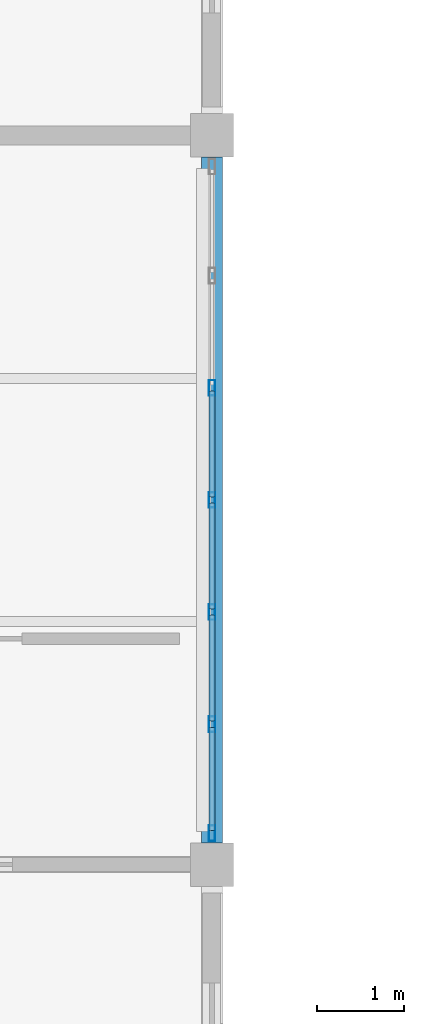
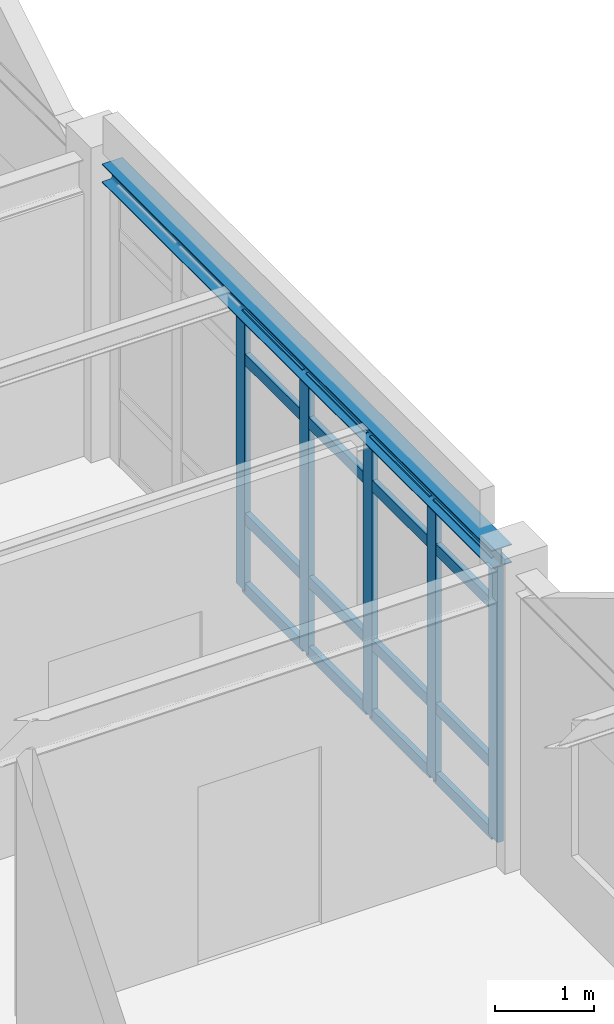
# One storey, part 6 of 45: 21 members, 1 beam, 1 element without a shape of its own.
"""IFC4 building model written with IfcOpenShell, lengths in metres."""

from ifc_helpers import new_model, si_unit, direction, frame, origin, origin_2d, place, context, subcontext, project, spatial, hollow_rectangle, i_section, extrude, material, layer, layer_set, material_profile, profile_set, type_object, element, aggregate, save


model = new_model("IFC4")

# Units and contexts
model_context = context("Model", 3, precision=1e-05, world=origin(), true_north=direction((0.0, 1.0)))
body_context = subcontext(model_context, "Body", "Model", "MODEL_VIEW")
ifc_project = project(units=[si_unit("LENGTHUNIT", "METRE"), si_unit("AREAUNIT", "SQUARE_METRE"), si_unit("VOLUMEUNIT", "CUBIC_METRE"), si_unit("PLANEANGLEUNIT", "RADIAN"), si_unit("MASSUNIT", "GRAM", prefix="KILO")], contexts=[model_context])

# Site, building, storey
site_placement = place(None, origin())
site = spatial("IfcSite", under=ifc_project, at=site_placement, CompositionType="ELEMENT")
building_placement = place(site_placement, origin())
building = spatial("IfcBuilding", under=site, at=building_placement, Name="Bramfleet General Hospital", CompositionType="ELEMENT")
storey_placement = place(building_placement, frame((0.0, 0.0, 30.300048828125)))
storey = spatial("IfcBuildingStorey", under=building, at=storey_placement, Name="L07", CompositionType="ELEMENT", Elevation=30.300048828125)

# Beam
ifc_material_1 = material(Name="Steel S355", Category="steel")
ifc_material_profile_1 = material_profile(ifc_material_1, i_section(OverallWidth=0.239990234375, OverallDepth=0.22998046875, WebThickness=0.007568359375, FlangeThickness=0.011962890625, FilletRadius=0.02099609375, at=origin_2d()), Name="HEA 240")
ifc_profile_set_1 = profile_set([ifc_material_profile_1], Name="Steel S355")
beam_type = type_object("IfcBeamType", Name="BM-HEA240", PredefinedType="SPANDREL", material=ifc_profile_set_1)
beam_placement = place(storey_placement, frame((117.60009765625, 42.25, 3.544921875), z_axis=(0.0, 1.0, 0.0), x_axis=(-1.0, 0.0, 0.0)))
element("IfcBeam", 1, at=beam_placement, inside=storey, type_object=beam_type, Name="L07 Grid Beam Y 14-05", PredefinedType="SPANDREL", context=body_context, shape_type="SweptSolid", body=[
    extrude(i_section(OverallWidth=0.239990234375, OverallDepth=0.22998046875, WebThickness=0.007568359375, FlangeThickness=0.011962890625, FilletRadius=0.02099609375, at=origin_2d()), origin(), (0.0, 0.0, 1.0), 7.89990234375),
])

# Curtain wall, members
ifc_material_2 = material(Name="Anodised aluminium and low-E triple glazing", Category="aluminium")
ifc_layer = layer(ifc_material_2, 0.179931640625, Name="CWT-CW-15")
ifc_layer_set = layer_set([ifc_layer], Name="Anodised aluminium and low-E triple glazing")
curtain_wall_type = type_object("IfcCurtainWallType", Name="CWT-CW-15", PredefinedType="USERDEFINED", material=ifc_layer_set)
curtain_wall_placement = place(storey_placement, origin())
curtain_wall = element("IfcCurtainWall", 2, at=curtain_wall_placement, inside=storey, type_object=curtain_wall_type, Name="L07 Curtain Wall 231", ObjectType="Stick curtain wall", PredefinedType="USERDEFINED")
ifc_material_3 = material(Name="Anodised aluminium EN AW-6060", Category="aluminium")
ifc_material_profile_2 = material_profile(ifc_material_3, hollow_rectangle(XDim=0.070068359375, YDim=0.179931640625, WallThickness=0.00390625, at=origin_2d()), Name="ALU 180x70x4.0")
ifc_profile_set_2 = profile_set([ifc_material_profile_2], Name="Anodised aluminium EN AW-6060")
member_type_1 = type_object("IfcMemberType", Name="CWM-ALU180", PredefinedType="MULLION", material=ifc_profile_set_2)
member_1_placement = place(storey_placement, frame((117.60009765625, 47.49169921875, 0.0), z_axis=(0.0, 0.0, 1.0), x_axis=(1.0, 0.0, 0.0)))
member_1 = element("IfcMember", 3, at=member_1_placement, type_object=member_type_1, Name="CW-15 mullion 3", PredefinedType="MULLION", context=body_context, shape_type="SweptSolid", body=[
    extrude(hollow_rectangle(XDim=0.070068359375, YDim=0.179931640625, WallThickness=0.00390625, at=origin_2d()), origin(), (0.0, 0.0, 1.0), 3.419921875),
])
member_2_placement = place(storey_placement, frame((117.60009765625, 46.199951171875, 0.0), z_axis=(0.0, 0.0, 1.0), x_axis=(1.0, 0.0, 0.0)))
member_2 = element("IfcMember", 4, at=member_2_placement, type_object=member_type_1, Name="CW-15 mullion 4", PredefinedType="MULLION", context=body_context, shape_type="SweptSolid", body=[
    extrude(hollow_rectangle(XDim=0.070068359375, YDim=0.179931640625, WallThickness=0.00390625, at=origin_2d()), origin(), (0.0, 0.0, 1.0), 3.419921875),
])
member_3_placement = place(storey_placement, frame((117.60009765625, 44.908447265625, 0.0), z_axis=(0.0, 0.0, 1.0), x_axis=(1.0, 0.0, 0.0)))
member_3 = element("IfcMember", 5, at=member_3_placement, type_object=member_type_1, Name="CW-15 mullion 5", PredefinedType="MULLION", context=body_context, shape_type="SweptSolid", body=[
    extrude(hollow_rectangle(XDim=0.070068359375, YDim=0.179931640625, WallThickness=0.00390625, at=origin_2d()), origin(), (0.0, 0.0, 1.0), 3.419921875),
])
member_4_placement = place(storey_placement, frame((117.60009765625, 43.61669921875, 0.0), z_axis=(0.0, 0.0, 1.0), x_axis=(1.0, 0.0, 0.0)))
member_4 = element("IfcMember", 6, at=member_4_placement, type_object=member_type_1, Name="CW-15 mullion 6", PredefinedType="MULLION", context=body_context, shape_type="SweptSolid", body=[
    extrude(hollow_rectangle(XDim=0.070068359375, YDim=0.179931640625, WallThickness=0.00390625, at=origin_2d()), origin(), (0.0, 0.0, 1.0), 3.419921875),
])
member_5_placement = place(storey_placement, frame((117.60009765625, 42.360107421875, 0.0), z_axis=(0.0, 0.0, 1.0), x_axis=(1.0, 0.0, 0.0)))
member_5 = element("IfcMember", 7, at=member_5_placement, type_object=member_type_1, Name="CW-15 mullion 7", PredefinedType="MULLION", context=body_context, shape_type="SweptSolid", body=[
    extrude(hollow_rectangle(XDim=0.070068359375, YDim=0.179931640625, WallThickness=0.00390625, at=origin_2d()), origin(), (0.0, 0.0, 1.0), 3.419921875),
])
ifc_material_profile_3 = material_profile(ifc_material_3, hollow_rectangle(XDim=0.06494140625, YDim=0.139892578125, WallThickness=0.00390625, at=origin_2d()), Name="ALU 140x65x4.0")
ifc_profile_set_3 = profile_set([ifc_material_profile_3], Name="Anodised aluminium EN AW-6060")
member_type_2 = type_object("IfcMemberType", Name="CWT-ALU140", PredefinedType="USERDEFINED", material=ifc_profile_set_3)
member_6_placement = place(storey_placement, frame((117.60009765625, 47.456787109375, 0.032470703125), z_axis=(0.0, -1.0, 0.0), x_axis=(1.0, 0.0, 0.0)))
member_6 = element("IfcMember", 8, at=member_6_placement, type_object=member_type_2, Name="CW-15 transom 3.1", ObjectType="TRANSOM", PredefinedType="USERDEFINED", context=body_context, shape_type="SweptSolid", body=[
    extrude(hollow_rectangle(XDim=0.06494140625, YDim=0.139892578125, WallThickness=0.00390625, at=origin_2d()), origin(), (0.0, 0.0, 1.0), 1.2216796875),
])
member_7_placement = place(storey_placement, frame((117.60009765625, 47.456787109375, 0.89990234375), z_axis=(0.0, -1.0, 0.0), x_axis=(1.0, 0.0, 0.0)))
member_7 = element("IfcMember", 9, at=member_7_placement, type_object=member_type_2, Name="CW-15 transom 3.2", ObjectType="TRANSOM", PredefinedType="USERDEFINED", context=body_context, shape_type="SweptSolid", body=[
    extrude(hollow_rectangle(XDim=0.06494140625, YDim=0.139892578125, WallThickness=0.00390625, at=origin_2d()), origin(), (0.0, 0.0, 1.0), 1.2216796875),
])
member_8_placement = place(storey_placement, frame((117.60009765625, 47.456787109375, 2.869873046875), z_axis=(0.0, -1.0, 0.0), x_axis=(1.0, 0.0, 0.0)))
member_8 = element("IfcMember", 10, at=member_8_placement, type_object=member_type_2, Name="CW-15 transom 3.3", ObjectType="TRANSOM", PredefinedType="USERDEFINED", context=body_context, shape_type="SweptSolid", body=[
    extrude(hollow_rectangle(XDim=0.06494140625, YDim=0.139892578125, WallThickness=0.00390625, at=origin_2d()), origin(), (0.0, 0.0, 1.0), 1.2216796875),
])
member_9_placement = place(storey_placement, frame((117.60009765625, 47.456787109375, 3.387451171875), z_axis=(0.0, -1.0, 0.0), x_axis=(1.0, 0.0, 0.0)))
member_9 = element("IfcMember", 11, at=member_9_placement, type_object=member_type_2, Name="CW-15 transom 3.4", ObjectType="TRANSOM", PredefinedType="USERDEFINED", context=body_context, shape_type="SweptSolid", body=[
    extrude(hollow_rectangle(XDim=0.06494140625, YDim=0.139892578125, WallThickness=0.00390625, at=origin_2d()), origin(), (0.0, 0.0, 1.0), 1.2216796875),
])
member_10_placement = place(storey_placement, frame((117.60009765625, 46.1650390625, 0.032470703125), z_axis=(0.0, -1.0, 0.0), x_axis=(1.0, 0.0, 0.0)))
member_10 = element("IfcMember", 12, at=member_10_placement, type_object=member_type_2, Name="CW-15 transom 4.1", ObjectType="TRANSOM", PredefinedType="USERDEFINED", context=body_context, shape_type="SweptSolid", body=[
    extrude(hollow_rectangle(XDim=0.06494140625, YDim=0.139892578125, WallThickness=0.00390625, at=origin_2d()), origin(), (0.0, 0.0, 1.0), 1.2216796875),
])
member_11_placement = place(storey_placement, frame((117.60009765625, 46.1650390625, 0.89990234375), z_axis=(0.0, -1.0, 0.0), x_axis=(1.0, 0.0, 0.0)))
member_11 = element("IfcMember", 13, at=member_11_placement, type_object=member_type_2, Name="CW-15 transom 4.2", ObjectType="TRANSOM", PredefinedType="USERDEFINED", context=body_context, shape_type="SweptSolid", body=[
    extrude(hollow_rectangle(XDim=0.06494140625, YDim=0.139892578125, WallThickness=0.00390625, at=origin_2d()), origin(), (0.0, 0.0, 1.0), 1.2216796875),
])
member_12_placement = place(storey_placement, frame((117.60009765625, 46.1650390625, 2.869873046875), z_axis=(0.0, -1.0, 0.0), x_axis=(1.0, 0.0, 0.0)))
member_12 = element("IfcMember", 14, at=member_12_placement, type_object=member_type_2, Name="CW-15 transom 4.3", ObjectType="TRANSOM", PredefinedType="USERDEFINED", context=body_context, shape_type="SweptSolid", body=[
    extrude(hollow_rectangle(XDim=0.06494140625, YDim=0.139892578125, WallThickness=0.00390625, at=origin_2d()), origin(), (0.0, 0.0, 1.0), 1.2216796875),
])
member_13_placement = place(storey_placement, frame((117.60009765625, 46.1650390625, 3.387451171875), z_axis=(0.0, -1.0, 0.0), x_axis=(1.0, 0.0, 0.0)))
member_13 = element("IfcMember", 15, at=member_13_placement, type_object=member_type_2, Name="CW-15 transom 4.4", ObjectType="TRANSOM", PredefinedType="USERDEFINED", context=body_context, shape_type="SweptSolid", body=[
    extrude(hollow_rectangle(XDim=0.06494140625, YDim=0.139892578125, WallThickness=0.00390625, at=origin_2d()), origin(), (0.0, 0.0, 1.0), 1.2216796875),
])
member_14_placement = place(storey_placement, frame((117.60009765625, 44.873291015625, 0.032470703125), z_axis=(0.0, -1.0, 0.0), x_axis=(1.0, 0.0, 0.0)))
member_14 = element("IfcMember", 16, at=member_14_placement, type_object=member_type_2, Name="CW-15 transom 5.1", ObjectType="TRANSOM", PredefinedType="USERDEFINED", context=body_context, shape_type="SweptSolid", body=[
    extrude(hollow_rectangle(XDim=0.06494140625, YDim=0.139892578125, WallThickness=0.00390625, at=origin_2d()), origin(), (0.0, 0.0, 1.0), 1.2216796875),
])
member_15_placement = place(storey_placement, frame((117.60009765625, 44.873291015625, 0.89990234375), z_axis=(0.0, -1.0, 0.0), x_axis=(1.0, 0.0, 0.0)))
member_15 = element("IfcMember", 17, at=member_15_placement, type_object=member_type_2, Name="CW-15 transom 5.2", ObjectType="TRANSOM", PredefinedType="USERDEFINED", context=body_context, shape_type="SweptSolid", body=[
    extrude(hollow_rectangle(XDim=0.06494140625, YDim=0.139892578125, WallThickness=0.00390625, at=origin_2d()), origin(), (0.0, 0.0, 1.0), 1.2216796875),
])
member_16_placement = place(storey_placement, frame((117.60009765625, 44.873291015625, 2.869873046875), z_axis=(0.0, -1.0, 0.0), x_axis=(1.0, 0.0, 0.0)))
member_16 = element("IfcMember", 18, at=member_16_placement, type_object=member_type_2, Name="CW-15 transom 5.3", ObjectType="TRANSOM", PredefinedType="USERDEFINED", context=body_context, shape_type="SweptSolid", body=[
    extrude(hollow_rectangle(XDim=0.06494140625, YDim=0.139892578125, WallThickness=0.00390625, at=origin_2d()), origin(), (0.0, 0.0, 1.0), 1.2216796875),
])
member_17_placement = place(storey_placement, frame((117.60009765625, 44.873291015625, 3.387451171875), z_axis=(0.0, -1.0, 0.0), x_axis=(1.0, 0.0, 0.0)))
member_17 = element("IfcMember", 19, at=member_17_placement, type_object=member_type_2, Name="CW-15 transom 5.4", ObjectType="TRANSOM", PredefinedType="USERDEFINED", context=body_context, shape_type="SweptSolid", body=[
    extrude(hollow_rectangle(XDim=0.06494140625, YDim=0.139892578125, WallThickness=0.00390625, at=origin_2d()), origin(), (0.0, 0.0, 1.0), 1.2216796875),
])
member_18_placement = place(storey_placement, frame((117.60009765625, 43.581787109375, 0.032470703125), z_axis=(0.0, -1.0, 0.0), x_axis=(1.0, 0.0, 0.0)))
member_18 = element("IfcMember", 20, at=member_18_placement, type_object=member_type_2, Name="CW-15 transom 6.1", ObjectType="TRANSOM", PredefinedType="USERDEFINED", context=body_context, shape_type="SweptSolid", body=[
    extrude(hollow_rectangle(XDim=0.06494140625, YDim=0.139892578125, WallThickness=0.00390625, at=origin_2d()), origin(), (0.0, 0.0, 1.0), 1.186767578125),
])
member_19_placement = place(storey_placement, frame((117.60009765625, 43.581787109375, 0.89990234375), z_axis=(0.0, -1.0, 0.0), x_axis=(1.0, 0.0, 0.0)))
member_19 = element("IfcMember", 21, at=member_19_placement, type_object=member_type_2, Name="CW-15 transom 6.2", ObjectType="TRANSOM", PredefinedType="USERDEFINED", context=body_context, shape_type="SweptSolid", body=[
    extrude(hollow_rectangle(XDim=0.06494140625, YDim=0.139892578125, WallThickness=0.00390625, at=origin_2d()), origin(), (0.0, 0.0, 1.0), 1.186767578125),
])
member_20_placement = place(storey_placement, frame((117.60009765625, 43.581787109375, 2.869873046875), z_axis=(0.0, -1.0, 0.0), x_axis=(1.0, 0.0, 0.0)))
member_20 = element("IfcMember", 22, at=member_20_placement, type_object=member_type_2, Name="CW-15 transom 6.3", ObjectType="TRANSOM", PredefinedType="USERDEFINED", context=body_context, shape_type="SweptSolid", body=[
    extrude(hollow_rectangle(XDim=0.06494140625, YDim=0.139892578125, WallThickness=0.00390625, at=origin_2d()), origin(), (0.0, 0.0, 1.0), 1.186767578125),
])
member_21_placement = place(storey_placement, frame((117.60009765625, 43.581787109375, 3.387451171875), z_axis=(0.0, -1.0, 0.0), x_axis=(1.0, 0.0, 0.0)))
member_21 = element("IfcMember", 23, at=member_21_placement, type_object=member_type_2, Name="CW-15 transom 6.4", ObjectType="TRANSOM", PredefinedType="USERDEFINED", context=body_context, shape_type="SweptSolid", body=[
    extrude(hollow_rectangle(XDim=0.06494140625, YDim=0.139892578125, WallThickness=0.00390625, at=origin_2d()), origin(), (0.0, 0.0, 1.0), 1.186767578125),
])
aggregate(curtain_wall, [member_1, member_2, member_3, member_4, member_5, member_6, member_7, member_8, member_9, member_10, member_11, member_12, member_13, member_14, member_15, member_16, member_17, member_18, member_19, member_20, member_21])

save(model, "model.ifc")
